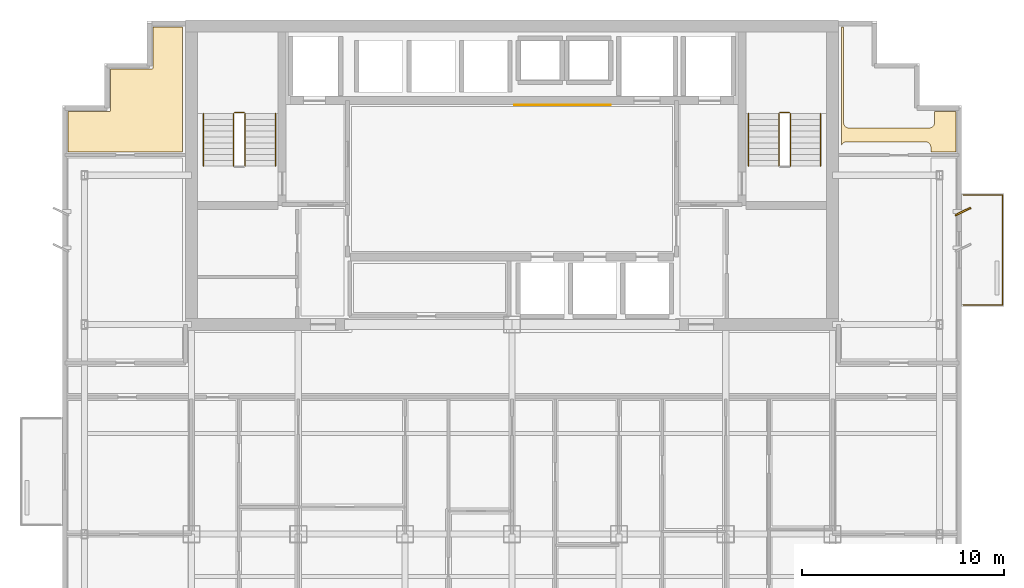
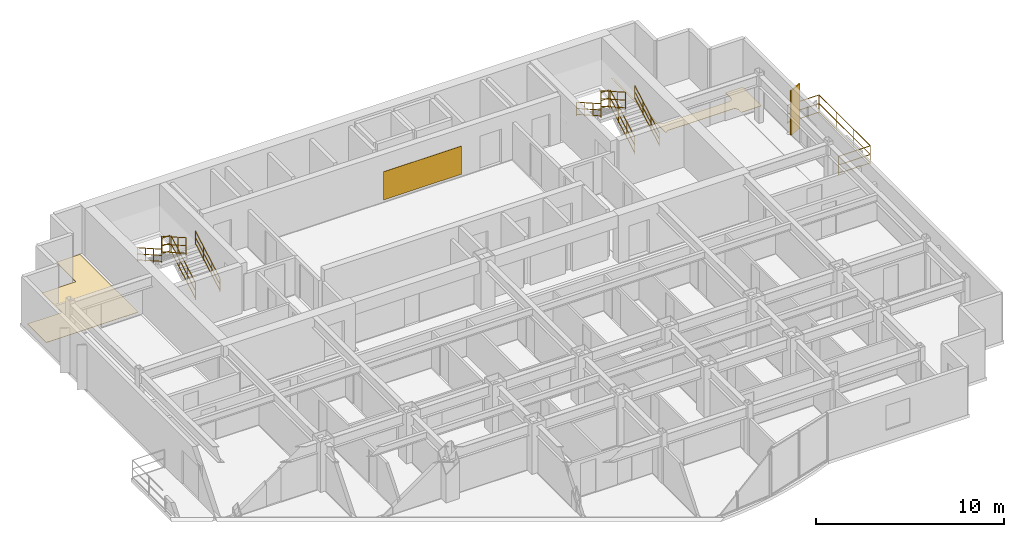
# One storey, part 11 of 11: 11 railings, 3 coverings, 1 shading device.
"""IFC4 building model written with IfcOpenShell, lengths in metres."""

from ifc_helpers import new_model, si_unit, direction, frame, origin, origin_2d, place, context, subcontext, project, spatial, polyline, rectangle, circle, outline, extrude, source, transform, mapped, material, layer, layer_set, type_object, element, save


model = new_model("IFC4")

# Units and contexts
model_context = context("Model", 3, precision=1e-05, world=origin(), true_north=direction((0.0, 1.0)))
body_context = subcontext(model_context, "Body", "Model", "MODEL_VIEW")
ifc_project = project(units=[si_unit("LENGTHUNIT", "METRE"), si_unit("AREAUNIT", "SQUARE_METRE"), si_unit("VOLUMEUNIT", "CUBIC_METRE"), si_unit("PLANEANGLEUNIT", "RADIAN"), si_unit("MASSUNIT", "GRAM", prefix="KILO")], contexts=[model_context])

# Site, building, storey
site_placement = place(None, origin())
site = spatial("IfcSite", under=ifc_project, at=site_placement, CompositionType="ELEMENT")
building_placement = place(site_placement, origin())
building = spatial("IfcBuilding", under=site, at=building_placement, Name="Qianlan Lanfeng Residences", CompositionType="ELEMENT")
storey_placement = place(building_placement, frame((0.0, 0.0, 175.5)))
storey = spatial("IfcBuildingStorey", under=building, at=storey_placement, Name="L48", CompositionType="ELEMENT", Elevation=175.5)

# Coverings
ifc_material_1 = material(Name="Anodised Bronze Feature Wall Cladding")
ifc_layer_1 = layer(ifc_material_1, 0.02490234375)
ifc_layer_set_1 = layer_set([ifc_layer_1], Name="Anodised Bronze Feature Wall Cladding")
covering_type_1 = type_object("IfcCoveringType", Name="CLD-BRZ-25", PredefinedType="CLADDING", material=ifc_layer_set_1)
covering_1_placement = place(storey_placement, frame((0.0, 0.0, 0.14990234375)))
element("IfcCovering", 1, at=covering_1_placement, inside=storey, type_object=covering_type_1, Name="L48 Lift Lobby Bronze Feature Cladding", PredefinedType="CLADDING", context=body_context, shape_type="SweptSolid", body=[
    extrude(outline(polyline([(26.60009765625, 36.074951171875), (31.39990234375, 36.074951171875), (31.39990234375, 36.10009765625), (26.60009765625, 36.10009765625), (26.60009765625, 36.074951171875)])), origin(), (0.0, 0.0, 1.0), 1.830078125),
])
ifc_material_2 = material(Name="Engineered Smoked Oak Timber Flooring", Category="wood")
ifc_layer_2 = layer(ifc_material_2, 0.02197265625)
ifc_layer_set_2 = layer_set([ifc_layer_2], Name="Engineered Smoked Oak Timber Flooring")
covering_type_2 = type_object("IfcCoveringType", Name="FLR-TIM-22", PredefinedType="FLOORING", material=ifc_layer_set_2)
covering_2_placement = place(storey_placement, origin())
element("IfcCovering", 2, at=covering_2_placement, inside=storey, type_object=covering_type_2, Name="L48 Resident Lounge Floor Finish", PredefinedType="FLOORING", context=body_context, shape_type="SweptSolid", body=[
    extrude(outline(polyline([(4.489990234375, 33.75), (10.14990234375, 33.75), (10.14990234375, 39.9599609375), (8.68994140625, 39.9599609375), (8.68994140625, 37.929931640625), (8.68994140625, 37.923095703125), (8.68896484375, 37.916015625), (8.68701171875, 37.909912109375), (8.68505859375, 37.903076171875), (8.681884765625, 37.89697265625), (8.677978515625, 37.89111328125), (8.674072265625, 37.885986328125), (8.6689453125, 37.881103515625), (8.6640625, 37.8759765625), (8.658935546875, 37.8720703125), (8.653076171875, 37.867919921875), (8.64697265625, 37.864990234375), (8.639892578125, 37.863037109375), (8.634033203125, 37.861083984375), (8.626953125, 37.860107421875), (8.6201171875, 37.860107421875), (6.590087890625, 37.860107421875), (6.590087890625, 35.830078125), (6.590087890625, 35.822998046875), (6.589111328125, 35.81591796875), (6.5869140625, 35.81005859375), (6.5849609375, 35.802978515625), (6.58203125, 35.797119140625), (6.577880859375, 35.791015625), (6.573974609375, 35.785888671875), (6.569091796875, 35.781005859375), (6.56396484375, 35.77587890625), (6.55908203125, 35.77197265625), (6.552978515625, 35.76806640625), (6.547119140625, 35.764892578125), (6.5400390625, 35.762939453125), (6.533935546875, 35.760986328125), (6.527099609375, 35.760009765625), (6.52001953125, 35.760009765625), (4.489990234375, 35.760009765625), (4.489990234375, 33.75)])), origin(), (0.0, 0.0, 1.0), 0.02197265625),
])
covering_3_placement = place(storey_placement, origin())
element("IfcCovering", 3, at=covering_3_placement, inside=storey, type_object=covering_type_2, Name="L48 Resident Lounge Floor Finish", PredefinedType="FLOORING", context=body_context, shape_type="SweptSolid", body=[
    extrude(outline(polyline([(42.85009765625, 34.097900390625), (42.860107421875, 34.117919921875), (42.8720703125, 34.138916015625), (42.886962890625, 34.158935546875), (42.903076171875, 34.177001953125), (42.9208984375, 34.193115234375), (42.94091796875, 34.2080078125), (42.9619140625, 34.219970703125), (42.98388671875, 34.23095703125), (43.007080078125, 34.239013671875), (43.031005859375, 34.2451171875), (43.054931640625, 34.2490234375), (43.080078125, 34.25), (47.02001953125, 34.25), (47.044921875, 34.2490234375), (47.069091796875, 34.2451171875), (47.093017578125, 34.239013671875), (47.115966796875, 34.23095703125), (47.137939453125, 34.219970703125), (47.158935546875, 34.2080078125), (47.178955078125, 34.193115234375), (47.197021484375, 34.177001953125), (47.212890625, 34.158935546875), (47.22802734375, 34.138916015625), (47.239990234375, 34.117919921875), (47.2509765625, 34.095947265625), (47.259033203125, 34.072998046875), (47.264892578125, 34.049072265625), (47.26904296875, 34.02490234375), (47.27001953125, 34.0), (47.27001953125, 33.75), (48.510009765625, 33.75), (48.510009765625, 35.760009765625), (47.449951171875, 35.760009765625), (47.449951171875, 35.199951171875), (47.448974609375, 35.175048828125), (47.445068359375, 35.15087890625), (47.43896484375, 35.126953125), (47.430908203125, 35.10400390625), (47.419921875, 35.08203125), (47.407958984375, 35.06103515625), (47.39306640625, 35.041015625), (47.376953125, 35.02294921875), (47.35888671875, 35.007080078125), (47.339111328125, 34.991943359375), (47.318115234375, 34.97998046875), (47.2958984375, 34.968994140625), (47.27294921875, 34.9609375), (47.2490234375, 34.955078125), (47.22509765625, 34.950927734375), (47.199951171875, 34.949951171875), (43.199951171875, 34.949951171875), (43.175048828125, 34.950927734375), (43.15087890625, 34.955078125), (43.126953125, 34.9609375), (43.10400390625, 34.968994140625), (43.08203125, 34.97998046875), (43.06103515625, 34.991943359375), (43.041015625, 35.007080078125), (43.02294921875, 35.02294921875), (43.007080078125, 35.041015625), (42.991943359375, 35.06103515625), (42.97998046875, 35.08203125), (42.968994140625, 35.10400390625), (42.9609375, 35.126953125), (42.955078125, 35.15087890625), (42.950927734375, 35.175048828125), (42.949951171875, 35.199951171875), (42.949951171875, 39.9599609375), (42.85009765625, 39.9599609375), (42.85009765625, 34.097900390625)])), origin(), (0.0, 0.0, 1.0), 0.02197265625),
])

# Railings
ifc_material_3 = material(Name="Anodised Bronze Aluminium and Laminated Glass Guard Balustrade", Category="aluminium")
railing_type_1 = type_object("IfcRailingType", Name="GR-EXT-1220", PredefinedType="BALUSTRADE", material=ifc_material_3)
railing_1_placement = place(storey_placement, frame((48.8701171875, 31.6298828125, 0.0)))
element("IfcRailing", 4, at=railing_1_placement, inside=storey, type_object=railing_type_1, Name="L48 Terrace Safety Guard GR-L48-EB-N", PredefinedType="BALUSTRADE", context=body_context, shape_type="SweptSolid", body=[
    extrude(circle(Radius=0.02490234375, at=origin_2d()), frame((0.0, 0.0, 0.0849609375), z_axis=(1.0, 0.0, 0.0), x_axis=(0.0, 1.0, 0.0)), (0.0, 0.0, 1.0), 1.9599609375),
    extrude(circle(Radius=0.02490234375, at=origin_2d()), frame((0.0, 0.0, 0.63427734375), z_axis=(1.0, 0.0, 0.0), x_axis=(0.0, 1.0, 0.0)), (0.0, 0.0, 1.0), 1.9599609375),
    extrude(circle(Radius=0.02490234375, at=origin_2d()), frame((0.0, 0.0, 1.19482421875), z_axis=(1.0, 0.0, 0.0), x_axis=(0.0, 1.0, 0.0)), (0.0, 0.0, 1.0), 1.9599609375),
    extrude(circle(Radius=0.02490234375, at=origin_2d()), frame((1.9599609375, 0.0, 0.0849609375), z_axis=(0.0, -1.0, 0.0), x_axis=(1.0, 0.0, 0.0)), (0.0, 0.0, 1.0), 5.4599609375),
    extrude(circle(Radius=0.02490234375, at=origin_2d()), frame((1.9599609375, 0.0, 0.63427734375), z_axis=(0.0, -1.0, 0.0), x_axis=(1.0, 0.0, 0.0)), (0.0, 0.0, 1.0), 5.4599609375),
    extrude(circle(Radius=0.02490234375, at=origin_2d()), frame((1.9599609375, 0.0, 1.19482421875), z_axis=(0.0, -1.0, 0.0), x_axis=(1.0, 0.0, 0.0)), (0.0, 0.0, 1.0), 5.4599609375),
    extrude(circle(Radius=0.02490234375, at=origin_2d()), frame((1.9599609375, -5.4599609375, 0.0849609375), z_axis=(-1.0, 0.0, 0.0), x_axis=(0.0, -1.0, 0.0)), (0.0, 0.0, 1.0), 1.9599609375),
    extrude(circle(Radius=0.02490234375, at=origin_2d()), frame((1.9599609375, -5.4599609375, 0.63427734375), z_axis=(-1.0, 0.0, 0.0), x_axis=(0.0, -1.0, 0.0)), (0.0, 0.0, 1.0), 1.9599609375),
    extrude(circle(Radius=0.02490234375, at=origin_2d()), frame((1.9599609375, -5.4599609375, 1.19482421875), z_axis=(-1.0, 0.0, 0.0), x_axis=(0.0, -1.0, 0.0)), (0.0, 0.0, 1.0), 1.9599609375),
    extrude(circle(Radius=0.02099609375, at=origin_2d()), origin(), (0.0, 0.0, 1.0), 1.169921875),
    extrude(circle(Radius=0.02099609375, at=origin_2d()), frame((1.9599609375, 0.0, 0.0)), (0.0, 0.0, 1.0), 1.169921875),
    extrude(circle(Radius=0.02099609375, at=origin_2d()), frame((1.9599609375, -1.820068359375, 0.0)), (0.0, 0.0, 1.0), 1.169921875),
    extrude(circle(Radius=0.02099609375, at=origin_2d()), frame((1.9599609375, -3.639892578125, 0.0)), (0.0, 0.0, 1.0), 1.169921875),
    extrude(circle(Radius=0.02099609375, at=origin_2d()), frame((1.9599609375, -5.4599609375, 0.0)), (0.0, 0.0, 1.0), 1.169921875),
    extrude(circle(Radius=0.02099609375, at=origin_2d()), frame((0.0, -5.4599609375, 0.0)), (0.0, 0.0, 1.0), 1.169921875),
])
ifc_material_4 = material(Name="Painted Galvanised Steel Guardrail", Category="steel")
railing_type_2 = type_object("IfcRailingType", Name="GR-ST-1120", PredefinedType="GUARDRAIL", material=ifc_material_4)
railing_2_placement = place(storey_placement, frame((13.27001953125, 33.050048828125, 0.1650390625)))
element("IfcRailing", 5, at=railing_2_placement, inside=storey, type_object=railing_type_2, Name="L48 ST-1 stair guard 1", PredefinedType="GUARDRAIL", context=body_context, shape_type="SweptSolid", body=[
    extrude(circle(Radius=0.02392578125, at=origin_2d()), frame((0.0, 0.0, 0.083984375), z_axis=(0.0, 0.869172267526, 0.494509422927), x_axis=(-1.0, 0.0, 0.0)), (0.0, 0.0, 1.0), 3.002685546875),
    extrude(circle(Radius=0.02392578125, at=origin_2d()), frame((0.0, 0.0, 0.58251953125), z_axis=(0.0, 0.869172267526, 0.494509422927), x_axis=(-1.0, 0.0, 0.0)), (0.0, 0.0, 1.0), 3.002685546875),
    extrude(circle(Radius=0.02392578125, at=origin_2d()), frame((0.0, 0.0, 1.09619140625), z_axis=(0.0, 0.869172267526, 0.494509422927), x_axis=(-1.0, 0.0, 0.0)), (0.0, 0.0, 1.0), 3.002685546875),
    extrude(circle(Radius=0.02099609375, at=origin_2d()), origin(), (0.0, 0.0, 1.0), 1.072021484375),
    extrude(circle(Radius=0.02099609375, at=origin_2d()), frame((0.0, 0.869873046875, 0.494873046875)), (0.0, 0.0, 1.0), 1.072021484375),
    extrude(circle(Radius=0.02099609375, at=origin_2d()), frame((0.0, 1.739990234375, 0.989990234375)), (0.0, 0.0, 1.0), 1.072021484375),
    extrude(circle(Radius=0.02099609375, at=origin_2d()), frame((0.0, 2.60986328125, 1.48486328125)), (0.0, 0.0, 1.0), 1.072021484375),
])
railing_3_placement = place(storey_placement, frame((13.219970703125, 35.7099609375, 1.64990234375)))
element("IfcRailing", 6, at=railing_3_placement, inside=storey, type_object=railing_type_2, Name="L48 ST-1 stair guard 2", PredefinedType="GUARDRAIL", context=body_context, shape_type="SweptSolid", body=[
    extrude(circle(Radius=0.02392578125, at=origin_2d()), frame((0.0, 0.0, 0.083984375), z_axis=(-1.0, 0.0, 0.0), x_axis=(0.0, -1.0, 0.0)), (0.0, 0.0, 1.0), 0.47998046875),
    extrude(circle(Radius=0.02392578125, at=origin_2d()), frame((0.0, 0.0, 0.58251953125), z_axis=(-1.0, 0.0, 0.0), x_axis=(0.0, -1.0, 0.0)), (0.0, 0.0, 1.0), 0.47998046875),
    extrude(circle(Radius=0.02392578125, at=origin_2d()), frame((0.0, 0.0, 1.09619140625), z_axis=(-1.0, 0.0, 0.0), x_axis=(0.0, -1.0, 0.0)), (0.0, 0.0, 1.0), 0.47998046875),
    extrude(circle(Radius=0.02099609375, at=origin_2d()), origin(), (0.0, 0.0, 1.0), 1.072021484375),
    extrude(circle(Radius=0.02099609375, at=origin_2d()), frame((-0.47998046875, 0.0, 0.0)), (0.0, 0.0, 1.0), 1.072021484375),
])
railing_4_placement = place(storey_placement, frame((12.68994140625, 35.659912109375, 1.81494140625)))
element("IfcRailing", 7, at=railing_4_placement, inside=storey, type_object=railing_type_2, Name="L48 ST-1 stair guard 3", PredefinedType="GUARDRAIL", context=body_context, shape_type="SweptSolid", body=[
    extrude(circle(Radius=0.02392578125, at=origin_2d()), frame((0.0, 0.0, 0.083984375), z_axis=(0.0, -0.869137319866, 0.494570843475), x_axis=(1.0, 0.0, 0.0)), (0.0, 0.0, 1.0), 3.0029296875),
    extrude(circle(Radius=0.02392578125, at=origin_2d()), frame((0.0, 0.0, 0.58251953125), z_axis=(0.0, -0.869137319866, 0.494570843475), x_axis=(1.0, 0.0, 0.0)), (0.0, 0.0, 1.0), 3.0029296875),
    extrude(circle(Radius=0.02392578125, at=origin_2d()), frame((0.0, 0.0, 1.09619140625), z_axis=(0.0, -0.869137319866, 0.494570843475), x_axis=(1.0, 0.0, 0.0)), (0.0, 0.0, 1.0), 3.0029296875),
    extrude(circle(Radius=0.02099609375, at=origin_2d()), origin(), (0.0, 0.0, 1.0), 1.072021484375),
    extrude(circle(Radius=0.02099609375, at=origin_2d()), frame((0.0, -0.869873046875, 0.4951171875)), (0.0, 0.0, 1.0), 1.072021484375),
    extrude(circle(Radius=0.02099609375, at=origin_2d()), frame((0.0, -1.739990234375, 0.989990234375)), (0.0, 0.0, 1.0), 1.072021484375),
    extrude(circle(Radius=0.02099609375, at=origin_2d()), frame((0.0, -2.60986328125, 1.485107421875)), (0.0, 0.0, 1.0), 1.072021484375),
])
railing_5_placement = place(storey_placement, frame((40.31005859375, 33.050048828125, 0.1650390625)))
element("IfcRailing", 8, at=railing_5_placement, inside=storey, type_object=railing_type_2, Name="L48 ST-2 stair guard 1", PredefinedType="GUARDRAIL", context=body_context, shape_type="SweptSolid", body=[
    extrude(circle(Radius=0.02392578125, at=origin_2d()), frame((0.0, 0.0, 0.083984375), z_axis=(0.0, 0.869172267526, 0.494509422927), x_axis=(-1.0, 0.0, 0.0)), (0.0, 0.0, 1.0), 3.002685546875),
    extrude(circle(Radius=0.02392578125, at=origin_2d()), frame((0.0, 0.0, 0.58251953125), z_axis=(0.0, 0.869172267526, 0.494509422927), x_axis=(-1.0, 0.0, 0.0)), (0.0, 0.0, 1.0), 3.002685546875),
    extrude(circle(Radius=0.02392578125, at=origin_2d()), frame((0.0, 0.0, 1.09619140625), z_axis=(0.0, 0.869172267526, 0.494509422927), x_axis=(-1.0, 0.0, 0.0)), (0.0, 0.0, 1.0), 3.002685546875),
    extrude(circle(Radius=0.02099609375, at=origin_2d()), origin(), (0.0, 0.0, 1.0), 1.072021484375),
    extrude(circle(Radius=0.02099609375, at=origin_2d()), frame((0.0, 0.869873046875, 0.494873046875)), (0.0, 0.0, 1.0), 1.072021484375),
    extrude(circle(Radius=0.02099609375, at=origin_2d()), frame((0.0, 1.739990234375, 0.989990234375)), (0.0, 0.0, 1.0), 1.072021484375),
    extrude(circle(Radius=0.02099609375, at=origin_2d()), frame((0.0, 2.60986328125, 1.48486328125)), (0.0, 0.0, 1.0), 1.072021484375),
])
railing_6_placement = place(storey_placement, frame((40.260009765625, 35.7099609375, 1.64990234375)))
element("IfcRailing", 9, at=railing_6_placement, inside=storey, type_object=railing_type_2, Name="L48 ST-2 stair guard 2", PredefinedType="GUARDRAIL", context=body_context, shape_type="SweptSolid", body=[
    extrude(circle(Radius=0.02392578125, at=origin_2d()), frame((0.0, 0.0, 0.083984375), z_axis=(-1.0, 0.0, 0.0), x_axis=(0.0, -1.0, 0.0)), (0.0, 0.0, 1.0), 0.47998046875),
    extrude(circle(Radius=0.02392578125, at=origin_2d()), frame((0.0, 0.0, 0.58251953125), z_axis=(-1.0, 0.0, 0.0), x_axis=(0.0, -1.0, 0.0)), (0.0, 0.0, 1.0), 0.47998046875),
    extrude(circle(Radius=0.02392578125, at=origin_2d()), frame((0.0, 0.0, 1.09619140625), z_axis=(-1.0, 0.0, 0.0), x_axis=(0.0, -1.0, 0.0)), (0.0, 0.0, 1.0), 0.47998046875),
    extrude(circle(Radius=0.02099609375, at=origin_2d()), origin(), (0.0, 0.0, 1.0), 1.072021484375),
    extrude(circle(Radius=0.02099609375, at=origin_2d()), frame((-0.47998046875, 0.0, 0.0)), (0.0, 0.0, 1.0), 1.072021484375),
])
railing_7_placement = place(storey_placement, frame((39.72998046875, 35.659912109375, 1.81494140625)))
element("IfcRailing", 10, at=railing_7_placement, inside=storey, type_object=railing_type_2, Name="L48 ST-2 stair guard 3", PredefinedType="GUARDRAIL", context=body_context, shape_type="SweptSolid", body=[
    extrude(circle(Radius=0.02392578125, at=origin_2d()), frame((0.0, 0.0, 0.083984375), z_axis=(0.0, -0.869137319866, 0.494570843475), x_axis=(1.0, 0.0, 0.0)), (0.0, 0.0, 1.0), 3.0029296875),
    extrude(circle(Radius=0.02392578125, at=origin_2d()), frame((0.0, 0.0, 0.58251953125), z_axis=(0.0, -0.869137319866, 0.494570843475), x_axis=(1.0, 0.0, 0.0)), (0.0, 0.0, 1.0), 3.0029296875),
    extrude(circle(Radius=0.02392578125, at=origin_2d()), frame((0.0, 0.0, 1.09619140625), z_axis=(0.0, -0.869137319866, 0.494570843475), x_axis=(1.0, 0.0, 0.0)), (0.0, 0.0, 1.0), 3.0029296875),
    extrude(circle(Radius=0.02099609375, at=origin_2d()), origin(), (0.0, 0.0, 1.0), 1.072021484375),
    extrude(circle(Radius=0.02099609375, at=origin_2d()), frame((0.0, -0.869873046875, 0.4951171875)), (0.0, 0.0, 1.0), 1.072021484375),
    extrude(circle(Radius=0.02099609375, at=origin_2d()), frame((0.0, -1.739990234375, 0.989990234375)), (0.0, 0.0, 1.0), 1.072021484375),
    extrude(circle(Radius=0.02099609375, at=origin_2d()), frame((0.0, -2.60986328125, 1.485107421875)), (0.0, 0.0, 1.0), 1.072021484375),
])
ifc_material_5 = material(Name="Brushed Stainless Steel Handrail", Category="steel")
railing_type_3 = type_object("IfcRailingType", Name="HR-ST-920", PredefinedType="HANDRAIL", material=ifc_material_5)
railing_8_placement = place(storey_placement, frame((14.77001953125, 33.050048828125, 0.1650390625)))
element("IfcRailing", 11, at=railing_8_placement, inside=storey, type_object=railing_type_3, Name="L48 ST-1 stair handrail 1", PredefinedType="HANDRAIL", context=body_context, shape_type="SweptSolid", body=[
    extrude(circle(Radius=0.02392578125, at=origin_2d()), frame((0.0, 0.0, 0.083984375), z_axis=(0.0, 0.869172267526, 0.494509422927), x_axis=(-1.0, 0.0, 0.0)), (0.0, 0.0, 1.0), 3.002685546875),
    extrude(circle(Radius=0.02392578125, at=origin_2d()), frame((0.0, 0.0, 0.468017578125), z_axis=(0.0, 0.869172267526, 0.494509422927), x_axis=(-1.0, 0.0, 0.0)), (0.0, 0.0, 1.0), 3.002685546875),
    extrude(circle(Radius=0.02392578125, at=origin_2d()), frame((0.0, 0.0, 0.8759765625), z_axis=(0.0, 0.869172267526, 0.494509422927), x_axis=(-1.0, 0.0, 0.0)), (0.0, 0.0, 1.0), 3.002685546875),
    extrude(circle(Radius=0.02099609375, at=origin_2d()), origin(), (0.0, 0.0, 1.0), 0.851806640625),
    extrude(circle(Radius=0.02099609375, at=origin_2d()), frame((0.0, 0.869873046875, 0.494873046875)), (0.0, 0.0, 1.0), 0.851806640625),
    extrude(circle(Radius=0.02099609375, at=origin_2d()), frame((0.0, 1.739990234375, 0.989990234375)), (0.0, 0.0, 1.0), 0.851806640625),
    extrude(circle(Radius=0.02099609375, at=origin_2d()), frame((0.0, 2.60986328125, 1.48486328125)), (0.0, 0.0, 1.0), 0.851806640625),
])
railing_9_placement = place(storey_placement, frame((11.18994140625, 35.659912109375, 1.81494140625)))
element("IfcRailing", 12, at=railing_9_placement, inside=storey, type_object=railing_type_3, Name="L48 ST-1 stair handrail 2", PredefinedType="HANDRAIL", context=body_context, shape_type="SweptSolid", body=[
    extrude(circle(Radius=0.02392578125, at=origin_2d()), frame((0.0, 0.0, 0.083984375), z_axis=(0.0, -0.869137319866, 0.494570843475), x_axis=(1.0, 0.0, 0.0)), (0.0, 0.0, 1.0), 3.0029296875),
    extrude(circle(Radius=0.02392578125, at=origin_2d()), frame((0.0, 0.0, 0.468017578125), z_axis=(0.0, -0.869137319866, 0.494570843475), x_axis=(1.0, 0.0, 0.0)), (0.0, 0.0, 1.0), 3.0029296875),
    extrude(circle(Radius=0.02392578125, at=origin_2d()), frame((0.0, 0.0, 0.8759765625), z_axis=(0.0, -0.869137319866, 0.494570843475), x_axis=(1.0, 0.0, 0.0)), (0.0, 0.0, 1.0), 3.0029296875),
    extrude(circle(Radius=0.02099609375, at=origin_2d()), origin(), (0.0, 0.0, 1.0), 0.851806640625),
    extrude(circle(Radius=0.02099609375, at=origin_2d()), frame((0.0, -0.869873046875, 0.4951171875)), (0.0, 0.0, 1.0), 0.851806640625),
    extrude(circle(Radius=0.02099609375, at=origin_2d()), frame((0.0, -1.739990234375, 0.989990234375)), (0.0, 0.0, 1.0), 0.851806640625),
    extrude(circle(Radius=0.02099609375, at=origin_2d()), frame((0.0, -2.60986328125, 1.485107421875)), (0.0, 0.0, 1.0), 0.851806640625),
])
railing_10_placement = place(storey_placement, frame((41.81005859375, 33.050048828125, 0.1650390625)))
element("IfcRailing", 13, at=railing_10_placement, inside=storey, type_object=railing_type_3, Name="L48 ST-2 stair handrail 1", PredefinedType="HANDRAIL", context=body_context, shape_type="SweptSolid", body=[
    extrude(circle(Radius=0.02392578125, at=origin_2d()), frame((0.0, 0.0, 0.083984375), z_axis=(0.0, 0.869172267526, 0.494509422927), x_axis=(-1.0, 0.0, 0.0)), (0.0, 0.0, 1.0), 3.002685546875),
    extrude(circle(Radius=0.02392578125, at=origin_2d()), frame((0.0, 0.0, 0.468017578125), z_axis=(0.0, 0.869172267526, 0.494509422927), x_axis=(-1.0, 0.0, 0.0)), (0.0, 0.0, 1.0), 3.002685546875),
    extrude(circle(Radius=0.02392578125, at=origin_2d()), frame((0.0, 0.0, 0.8759765625), z_axis=(0.0, 0.869172267526, 0.494509422927), x_axis=(-1.0, 0.0, 0.0)), (0.0, 0.0, 1.0), 3.002685546875),
    extrude(circle(Radius=0.02099609375, at=origin_2d()), origin(), (0.0, 0.0, 1.0), 0.851806640625),
    extrude(circle(Radius=0.02099609375, at=origin_2d()), frame((0.0, 0.869873046875, 0.494873046875)), (0.0, 0.0, 1.0), 0.851806640625),
    extrude(circle(Radius=0.02099609375, at=origin_2d()), frame((0.0, 1.739990234375, 0.989990234375)), (0.0, 0.0, 1.0), 0.851806640625),
    extrude(circle(Radius=0.02099609375, at=origin_2d()), frame((0.0, 2.60986328125, 1.48486328125)), (0.0, 0.0, 1.0), 0.851806640625),
])
railing_11_placement = place(storey_placement, frame((38.22998046875, 35.659912109375, 1.81494140625)))
element("IfcRailing", 14, at=railing_11_placement, inside=storey, type_object=railing_type_3, Name="L48 ST-2 stair handrail 2", PredefinedType="HANDRAIL", context=body_context, shape_type="SweptSolid", body=[
    extrude(circle(Radius=0.02392578125, at=origin_2d()), frame((0.0, 0.0, 0.083984375), z_axis=(0.0, -0.869137319866, 0.494570843475), x_axis=(1.0, 0.0, 0.0)), (0.0, 0.0, 1.0), 3.0029296875),
    extrude(circle(Radius=0.02392578125, at=origin_2d()), frame((0.0, 0.0, 0.468017578125), z_axis=(0.0, -0.869137319866, 0.494570843475), x_axis=(1.0, 0.0, 0.0)), (0.0, 0.0, 1.0), 3.0029296875),
    extrude(circle(Radius=0.02392578125, at=origin_2d()), frame((0.0, 0.0, 0.8759765625), z_axis=(0.0, -0.869137319866, 0.494570843475), x_axis=(1.0, 0.0, 0.0)), (0.0, 0.0, 1.0), 3.0029296875),
    extrude(circle(Radius=0.02099609375, at=origin_2d()), origin(), (0.0, 0.0, 1.0), 0.851806640625),
    extrude(circle(Radius=0.02099609375, at=origin_2d()), frame((0.0, -0.869873046875, 0.4951171875)), (0.0, 0.0, 1.0), 0.851806640625),
    extrude(circle(Radius=0.02099609375, at=origin_2d()), frame((0.0, -1.739990234375, 0.989990234375)), (0.0, 0.0, 1.0), 0.851806640625),
    extrude(circle(Radius=0.02099609375, at=origin_2d()), frame((0.0, -2.60986328125, 1.485107421875)), (0.0, 0.0, 1.0), 0.851806640625),
])

# Shading device
ifc_material_6 = material(Name="Anodised Bronze Aluminium Solar Fin", Category="aluminium")
shading_device_type = type_object("IfcShadingDeviceType", Name="FIN-BRZ-850", PredefinedType="SHUTTER", material=ifc_material_6)
shared_shape = source(origin(), body_context, "Body", "SweptSolid", [
    extrude(rectangle(XDim=0.85009765625, YDim=0.080078125, at=origin_2d()), origin(), (0.0, 0.0, 1.0), 2.89990234375),
])
shading_device_placement = place(storey_placement, frame((48.8701171875, 30.800048828125, 0.0), z_axis=(0.0, 0.0, 1.0), x_axis=(0.898794046299, 0.438371146789, 0.0)))
element("IfcShadingDevice", 15, at=shading_device_placement, inside=storey, type_object=shading_device_type, Name="L48 Raked Bronze Solar Fin E2", PredefinedType="SHUTTER", context=body_context, shape_type="MappedRepresentation", body=[
    mapped(shared_shape, transform((0.0, 0.0, 0.0), scale=1.0)),
])

save(model, "model.ifc")
